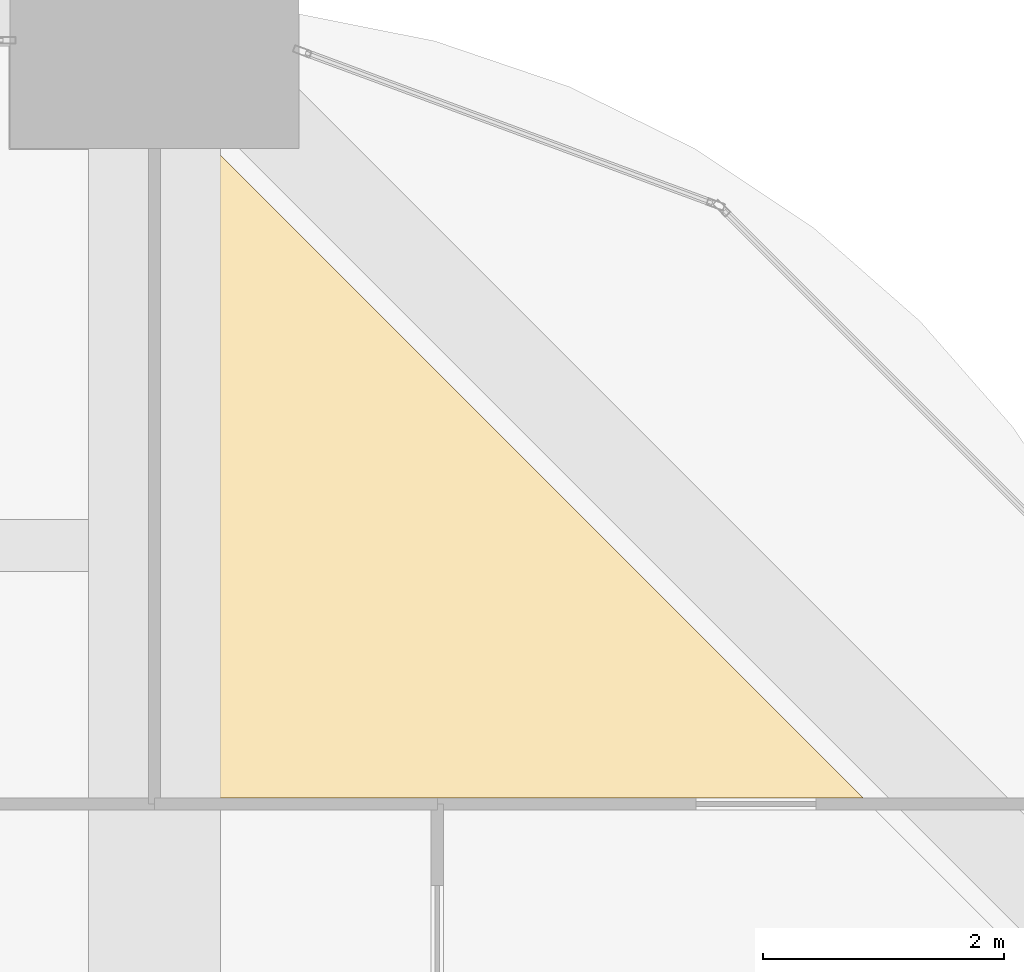
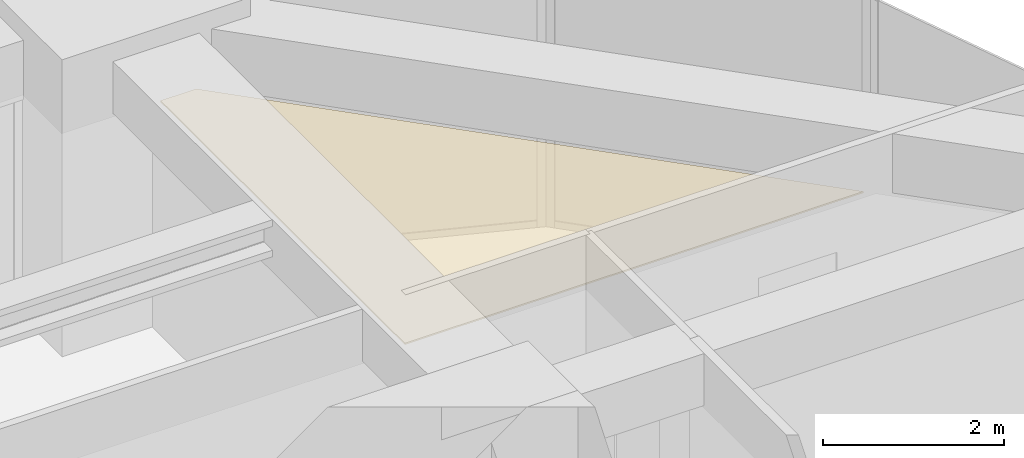
# One storey, part 33 of 33: 1 covering.
"""IFC4 building model written with IfcOpenShell, lengths in metres."""

from ifc_helpers import new_model, si_unit, direction, frame, origin, place, context, subcontext, project, spatial, polyline, outline, extrude, material, layer, layer_set, type_object, element, save


model = new_model("IFC4")

# Units and contexts
model_context = context("Model", 3, precision=1e-05, world=origin(), true_north=direction((0.0, 1.0)))
body_context = subcontext(model_context, "Body", "Model", "MODEL_VIEW")
ifc_project = project(units=[si_unit("LENGTHUNIT", "METRE"), si_unit("AREAUNIT", "SQUARE_METRE"), si_unit("VOLUMEUNIT", "CUBIC_METRE"), si_unit("PLANEANGLEUNIT", "RADIAN"), si_unit("MASSUNIT", "GRAM", prefix="KILO")], contexts=[model_context])

# Site, building, storey
site_placement = place(None, origin())
site = spatial("IfcSite", under=ifc_project, at=site_placement, CompositionType="ELEMENT")
building_placement = place(site_placement, origin())
building = spatial("IfcBuilding", under=site, at=building_placement, Name="Zorevar Civic Tower", CompositionType="ELEMENT")
storey_placement = place(building_placement, frame((0.0, 0.0, 178.199951171875)))
storey = spatial("IfcBuildingStorey", under=building, at=storey_placement, Name="L43", CompositionType="ELEMENT", Elevation=178.199951171875)

# Covering
ifc_material = material(Name="Mineral fibre tiles on a concealed grid")
ifc_layer = layer(ifc_material, 0.02001953125)
ifc_layer_set = layer_set([ifc_layer], Name="Suspended ceiling SC1")
covering_type = type_object("IfcCoveringType", Name="Suspended ceiling SC1", PredefinedType="CEILING", material=ifc_layer_set)
covering_placement = place(storey_placement, frame((0.0, 0.0, 3.0)))
element("IfcCovering", 1, at=covering_placement, inside=storey, type_object=covering_type, Name="Ceiling L43-33", PredefinedType="CEILING", context=body_context, shape_type="SweptSolid", body=[
    extrude(outline(polyline([(45.050048828125, 38.39990234375), (45.050048828125, 43.7900390625), (45.5029296875, 43.7900390625), (50.892822265625, 38.39990234375), (45.050048828125, 38.39990234375)])), origin(), (0.0, 0.0, 1.0), 0.02001953125),
])

save(model, "model.ifc")
